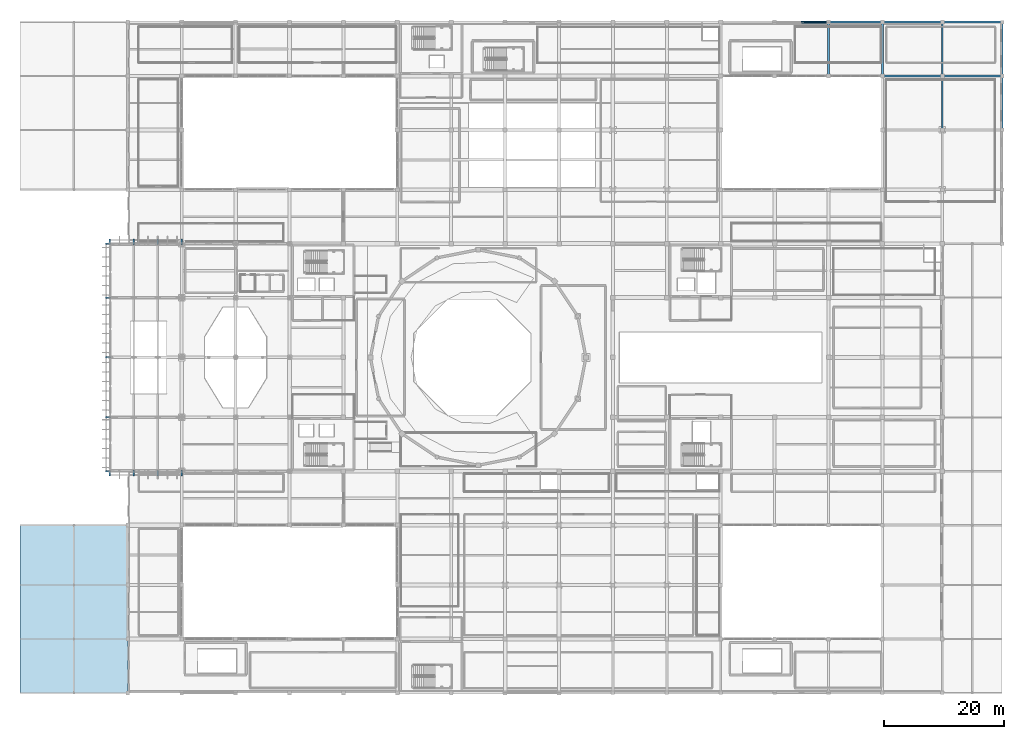
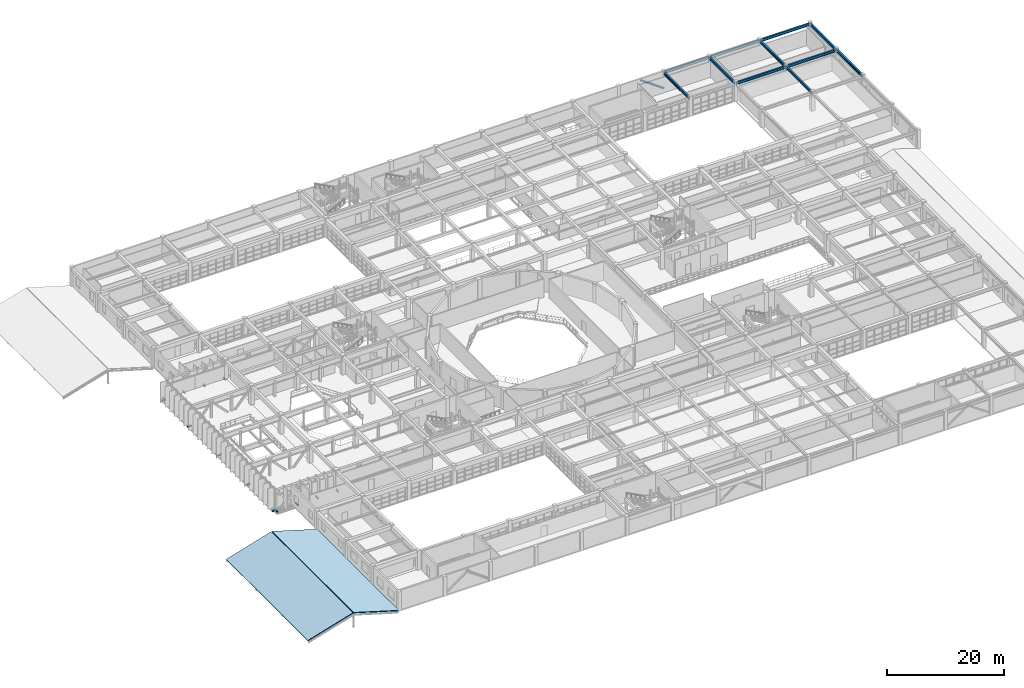
# One storey, part 88 of 130: 24 beams, 2 slabs, 1 member.
"""IFC4 building model written with IfcOpenShell, lengths in metres."""

from ifc_helpers import new_model, si_unit, direction, frame, origin, origin_2d, place, context, subcontext, project, spatial, polyline, hollow_circle, i_section, outline, extrude, material, layer, layer_set, material_profile, profile_set, type_object, element, save


model = new_model("IFC4")

# Units and contexts
model_context = context("Model", 3, precision=1e-05, world=origin(), true_north=direction((0.0, 1.0)))
body_context = subcontext(model_context, "Body", "Model", "MODEL_VIEW")
ifc_project = project(units=[si_unit("LENGTHUNIT", "METRE"), si_unit("AREAUNIT", "SQUARE_METRE"), si_unit("VOLUMEUNIT", "CUBIC_METRE"), si_unit("PLANEANGLEUNIT", "RADIAN"), si_unit("MASSUNIT", "GRAM", prefix="KILO")], contexts=[model_context])

# Site, building, storey
site_placement = place(None, origin())
site = spatial("IfcSite", under=ifc_project, at=site_placement, CompositionType="ELEMENT")
building_placement = place(site_placement, origin())
building = spatial("IfcBuilding", under=site, at=building_placement, Name="Miravela Opera House", CompositionType="ELEMENT")
storey_placement = place(building_placement, frame((0.0, 0.0, 9.52001953125)))
storey = spatial("IfcBuildingStorey", under=building, at=storey_placement, Name="L02", CompositionType="ELEMENT", Elevation=9.52001953125)

# Beams
ifc_material_1 = material(Name="Structural steel ASTM A992 Gr. 50", Category="steel")
ifc_material_profile_1 = material_profile(ifc_material_1, i_section(OverallWidth=0.25390625, OverallDepth=0.2529296875, WebThickness=0.008544921875, FlangeThickness=0.01416015625, FilletRadius=0.011962890625, at=origin_2d()), Name="W250X73")
ifc_profile_set_1 = profile_set([ifc_material_profile_1])
beam_type_1 = type_object("IfcBeamType", Name="STR-BM-W250X73", PredefinedType="JOIST", material=ifc_profile_set_1)
for number, where, z_axis, x_axis, name in (
    (1, (15.14990234375, 37.0, -0.386474609375), (-1.0, 0.0, 0.0), (0.0, -1.0, 0.0), "Facade Fin Outrigger Bracket L02 W1"),
    (2, (15.14990234375, 46.0, -0.386474609375), (-1.0, 0.0, 0.0), (0.0, -1.0, 0.0), "Facade Fin Outrigger Bracket L02 W2"),
    (3, (15.14990234375, 56.0, -0.386474609375), (-1.0, 0.0, 0.0), (0.0, -1.0, 0.0), "Facade Fin Outrigger Bracket L02 W3"),
    (4, (15.14990234375, 66.0, -0.386474609375), (-1.0, 0.0, 0.0), (0.0, -1.0, 0.0), "Facade Fin Outrigger Bracket L02 W4"),
    (5, (15.14990234375, 75.0, -0.386474609375), (-1.0, 0.0, 0.0), (0.0, -1.0, 0.0), "Facade Fin Outrigger Bracket L02 W5"),
    (6, (15.0, 74.85009765625, -0.386474609375), (0.0, 1.0, 0.0), (-1.0, 0.0, 0.0), "Facade Fin Outrigger Bracket L02 N1"),
    (7, (15.0, 37.14990234375, -0.386474609375), (0.0, -1.0, 0.0), (1.0, 0.0, 0.0), "Facade Fin Outrigger Bracket L02 S1"),
    (8, (19.0, 74.85009765625, -0.386474609375), (0.0, 1.0, 0.0), (-1.0, 0.0, 0.0), "Facade Fin Outrigger Bracket L02 N2"),
    (9, (19.0, 37.14990234375, -0.386474609375), (0.0, -1.0, 0.0), (1.0, 0.0, 0.0), "Facade Fin Outrigger Bracket L02 S2"),
    (10, (23.0, 74.85009765625, -0.386474609375), (0.0, 1.0, 0.0), (-1.0, 0.0, 0.0), "Facade Fin Outrigger Bracket L02 N3"),
    (11, (23.0, 37.14990234375, -0.386474609375), (0.0, -1.0, 0.0), (1.0, 0.0, 0.0), "Facade Fin Outrigger Bracket L02 S3"),
    (12, (27.0, 74.85009765625, -0.386474609375), (0.0, 1.0, 0.0), (-1.0, 0.0, 0.0), "Facade Fin Outrigger Bracket L02 N4"),
    (13, (27.0, 37.14990234375, -0.386474609375), (0.0, -1.0, 0.0), (1.0, 0.0, 0.0), "Facade Fin Outrigger Bracket L02 S4"),
):
    element("IfcBeam", number, at=place(storey_placement, frame(where, z_axis=z_axis, x_axis=x_axis)), inside=storey, type_object=beam_type_1, Name=name, PredefinedType="JOIST", context=body_context, shape_type="SweptSolid", body=[
        extrude(i_section(OverallWidth=0.25390625, OverallDepth=0.2529296875, WebThickness=0.008544921875, FlangeThickness=0.01416015625, FilletRadius=0.011962890625, at=origin_2d()), origin(), (0.0, 0.0, 1.0), 0.89990234375),
    ])
ifc_material_profile_2 = material_profile(ifc_material_1, i_section(OverallWidth=0.31201171875, OverallDepth=0.54296875, WebThickness=0.0126953125, FlangeThickness=0.020263671875, FilletRadius=0.01611328125, at=origin_2d()), Name="W530X150")
ifc_profile_set_2 = profile_set([ifc_material_profile_2])
beam_type_2 = type_object("IfcBeamType", Name="STR-BM-W530X150", PredefinedType="BEAM", material=ifc_profile_set_2)
for number, where, z_axis, x_axis, name in (
    (14, (154.0, 94.080078125, 3.568359375), (0.0, 1.0, 0.0), (-1.0, 0.0, 0.0), "Roof Eave Girder ROOF-V3-FAR-E W3"),
    (15, (154.0, 103.080078125, 3.568359375), (0.0, 1.0, 0.0), (-1.0, 0.0, 0.0), "Roof Eave Girder ROOF-V3-FAR-E W4"),
    (16, (164.0, 94.080078125, 3.568359375), (0.0, 1.0, 0.0), (-1.0, 0.0, 0.0), "Roof Eave Girder ROOF-V3-FAR-E E3"),
    (17, (164.0, 103.080078125, 3.568359375), (0.0, 1.0, 0.0), (-1.0, 0.0, 0.0), "Roof Eave Girder ROOF-V3-FAR-E E4"),
):
    element("IfcBeam", number, at=place(storey_placement, frame(where, z_axis=z_axis, x_axis=x_axis)), inside=storey, type_object=beam_type_2, Name=name, PredefinedType="BEAM", context=body_context, shape_type="SweptSolid", body=[
        extrude(i_section(OverallWidth=0.31201171875, OverallDepth=0.54296875, WebThickness=0.0126953125, FlangeThickness=0.020263671875, FilletRadius=0.01611328125, at=origin_2d()), origin(), (0.0, 0.0, 1.0), 8.83984375),
    ])
for number, where, z_axis, x_axis, name in (
    (18, (154.080078125, 103.0, 3.568359375), (1.0, 0.0, 0.0), (0.0, 1.0, 0.0), "Roof King-Post Transverse Tie Girder ROOF-V3-FAR-E T3.1"),
    (19, (154.080078125, 112.0, 3.568359375), (1.0, 0.0, 0.0), (0.0, 1.0, 0.0), "Roof King-Post Transverse Tie Girder ROOF-V3-FAR-E T4.1"),
    (20, (144.080078125, 103.0, 3.568359375), (1.0, 0.0, 0.0), (0.0, 1.0, 0.0), "Roof King-Post Transverse Tie Girder ROOF-V3-EAST-M T2.1"),
):
    element("IfcBeam", number, at=place(storey_placement, frame(where, z_axis=z_axis, x_axis=x_axis)), inside=storey, type_object=beam_type_2, Name=name, PredefinedType="BEAM", context=body_context, shape_type="SweptSolid", body=[
        extrude(i_section(OverallWidth=0.31201171875, OverallDepth=0.54296875, WebThickness=0.0126953125, FlangeThickness=0.020263671875, FilletRadius=0.01611328125, at=origin_2d()), origin(), (0.0, 0.0, 1.0), 9.83984375),
    ])
beam_1_placement = place(storey_placement, frame((135.080078125, 112.0, 3.568359375), z_axis=(1.0, 0.0, 0.0), x_axis=(0.0, 1.0, 0.0)))
element("IfcBeam", 21, at=beam_1_placement, inside=storey, type_object=beam_type_2, Name="Roof Eave Girder ROOF-V3-NE N3", PredefinedType="BEAM", context=body_context, shape_type="SweptSolid", body=[
    extrude(i_section(OverallWidth=0.31201171875, OverallDepth=0.54296875, WebThickness=0.0126953125, FlangeThickness=0.020263671875, FilletRadius=0.01611328125, at=origin_2d()), origin(), (0.0, 0.0, 1.0), 8.83984375),
])
beam_2_placement = place(storey_placement, frame((144.080078125, 112.0, 3.568359375), z_axis=(1.0, 0.0, 0.0), x_axis=(0.0, 1.0, 0.0)))
element("IfcBeam", 22, at=beam_2_placement, inside=storey, type_object=beam_type_2, Name="Roof Eave Girder ROOF-V3-NE N4", PredefinedType="BEAM", context=body_context, shape_type="SweptSolid", body=[
    extrude(i_section(OverallWidth=0.31201171875, OverallDepth=0.54296875, WebThickness=0.0126953125, FlangeThickness=0.020263671875, FilletRadius=0.01611328125, at=origin_2d()), origin(), (0.0, 0.0, 1.0), 9.83984375),
])
for number, where, z_axis, x_axis, name in (
    (23, (135.0, 103.080078125, 3.568359375), (0.0, 1.0, 0.0), (-1.0, 0.0, 0.0), "Roof King-Post Transverse Tie Girder ROOF-V3-NE T2.1"),
    (24, (144.0, 103.080078125, 3.568359375), (0.0, 1.0, 0.0), (-1.0, 0.0, 0.0), "Roof King-Post Transverse Tie Girder ROOF-V3-NE T3.1"),
):
    element("IfcBeam", number, at=place(storey_placement, frame(where, z_axis=z_axis, x_axis=x_axis)), inside=storey, type_object=beam_type_2, Name=name, PredefinedType="BEAM", context=body_context, shape_type="SweptSolid", body=[
        extrude(i_section(OverallWidth=0.31201171875, OverallDepth=0.54296875, WebThickness=0.0126953125, FlangeThickness=0.020263671875, FilletRadius=0.01611328125, at=origin_2d()), origin(), (0.0, 0.0, 1.0), 8.83984375),
    ])

# Member
ifc_material_2 = material(Name="Hollow structural steel ASTM A500 Gr. C", Category="steel")
ifc_material_profile_3 = material_profile(ifc_material_2, hollow_circle(Radius=0.203125, WallThickness=0.011962890625, at=origin_2d()), Name="CHS406X12")
ifc_profile_set_3 = profile_set([ifc_material_profile_3])
member_type = type_object("IfcMemberType", Name="STR-MEM-BRACE-CHS406", PredefinedType="BRACE", material=ifc_profile_set_3)
member_placement = place(storey_placement, frame((135.0, 112.0, 0.300048828125), z_axis=(-0.81581566002, 0.0, 0.57831203417), x_axis=(0.0, -1.0, 0.0)))
element("IfcMember", 25, at=member_placement, inside=storey, type_object=member_type, Name="Concentric Braced Frame BF-N3 L02 Right Brace", PredefinedType="BRACE", context=body_context, shape_type="SweptSolid", body=[
    extrude(hollow_circle(Radius=0.203125, WallThickness=0.011962890625, at=origin_2d()), origin(), (0.0, 0.0, 1.0), 5.515869140625),
])

# Slabs
ifc_material_3 = material(Name="Concrete C35/45", Category="concrete")
ifc_layer = layer(ifc_material_3, 0.169921875)
ifc_layer_set = layer_set([ifc_layer])
slab_type = type_object("IfcSlabType", Name="STR-ROOF-TILE-170", PredefinedType="ROOF", material=ifc_layer_set)
for number, where, z_axis, x_axis, name in (
    (26, (0.0, 0.0, 0.0), (-0.28735508066, 0.0, 0.957824126664), (0.0, 1.0, 0.0), "Pitched Clay Barrel-Tile Roof Slab ROOF-V5-SOUTH Slope 1"),
    (27, (18.0, 28.0, 0.0), (0.28735508066, 0.0, 0.957824126664), (0.0, -1.0, 0.0), "Pitched Clay Barrel-Tile Roof Slab ROOF-V5-SOUTH Slope 2"),
):
    element("IfcSlab", number, at=place(storey_placement, frame(where, z_axis=z_axis, x_axis=x_axis)), inside=storey, type_object=slab_type, Name=name, PredefinedType="ROOF", context=body_context, shape_type="SweptSolid", body=[
        extrude(outline(polyline([(0.0, 0.0), (28.0, 0.0), (28.0, -9.338946587754467), (0.0, -9.338946587754467), (0.0, 0.0)])), origin(), (0.0, 0.0, -1.0), 0.169921875),
    ])

save(model, "model.ifc")
